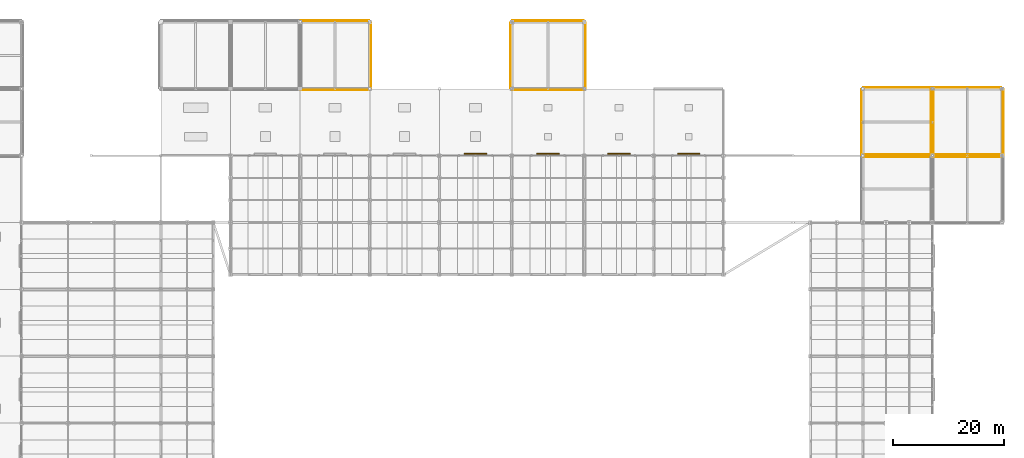
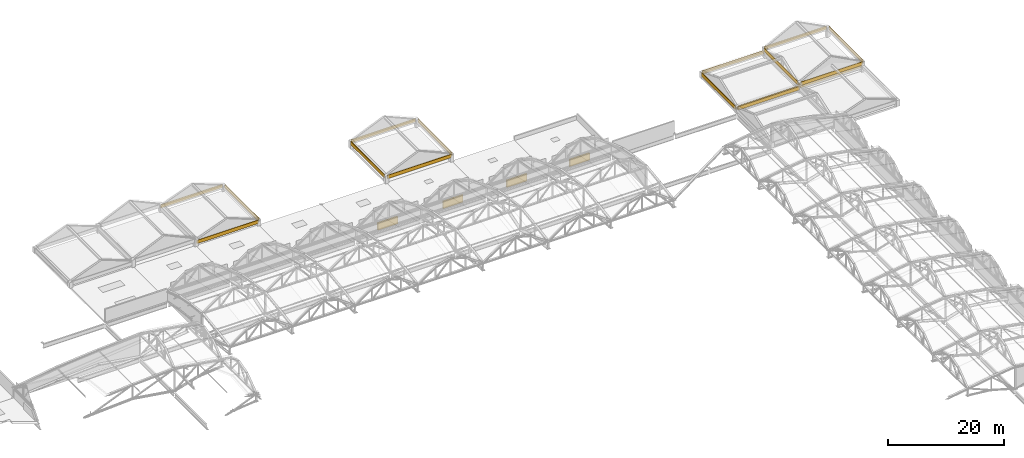
# One storey, part 117 of 117: 17 coverings, 4 shading devices.
"""IFC4 building model written with IfcOpenShell, lengths in metres."""

import ifcopenshell
import ifcopenshell.guid

model = None  # the IFC model being written
_history = None  # IfcOwnerHistory: only IFC2X3 demands one
_inside = {}  # id of a spatial element -> (the spatial element, [elements in it])
_under = {}  # id of a project, library or spatial element -> (it, [spatial elements below it])
_declared = {}  # id of a project -> (the project, [libraries it declares])
_typed = {}  # id of a type object -> (the type object, [elements of that type])
_made_of = {}  # id of a material, layer set ... -> (it, [elements and type objects made of it])


def new_model(schema):
    """Start an empty IFC model of exactly this schema.

    Asked for "IFC4X3", IfcOpenShell would pick the latest addendum, in which some entities
    have other attributes; the version numbers below select the first issue.
    IFC2X3 requires an IfcOwnerHistory on every rooted entity: one is made here for all.
    """
    global model, _history
    if schema == "IFC4X3":
        model = ifcopenshell.file(schema_version=(4, 3, 0, 0))
    else:
        model = ifcopenshell.file(schema=schema)
    _inside.clear()
    _under.clear()
    _declared.clear()
    _typed.clear()
    _made_of.clear()
    _history = None
    if model.schema == "IFC2X3":
        org = make("IfcOrganization", Name="unknown")
        user = make(
            "IfcPersonAndOrganization",
            ThePerson=make("IfcPerson", FamilyName="unknown"),
            TheOrganization=org,
        )
        app = make(
            "IfcApplication",
            ApplicationDeveloper=org,
            Version="unknown",
            ApplicationFullName="unknown",
            ApplicationIdentifier="unknown",
        )
        _history = make(
            "IfcOwnerHistory",
            OwningUser=user,
            OwningApplication=app,
            ChangeAction="ADDED",
            CreationDate=0,
        )
    return model


def make(cls, **values):
    """One entity of the class cls with the attributes given. An attribute that is None is left unset."""
    return model.create_entity(
        cls, **{name: value for name, value in values.items() if value is not None}
    )


def rooted(cls, **values):
    """An entity with a GlobalId (a new one), such as an element, a storey or a relation."""
    return make(cls, GlobalId=ifcopenshell.guid.new(), OwnerHistory=_history, **values)


def si_unit(unit_type, name, prefix=None):
    """IfcSIUnit, for example si_unit("LENGTHUNIT", "METRE", prefix="MILLI")."""
    return make("IfcSIUnit", UnitType=unit_type, Prefix=prefix, Name=name)


def assignment(units):
    """IfcUnitAssignment: the units of a project."""
    return None if units is None else make("IfcUnitAssignment", Units=units)


def point(xyz):
    """IfcCartesianPoint."""
    return None if xyz is None else make("IfcCartesianPoint", Coordinates=xyz)


def direction(xyz):
    """IfcDirection."""
    return None if xyz is None else make("IfcDirection", DirectionRatios=xyz)


def frame(location, z_axis=None, x_axis=None):
    """IfcAxis2Placement3D, a coordinate frame: its origin and axes. An axis left out is left unset."""
    return make(
        "IfcAxis2Placement3D",
        Location=point(location),
        Axis=direction(z_axis),
        RefDirection=direction(x_axis),
    )


def frame_2d(location, x_axis=None):
    """IfcAxis2Placement2D, a coordinate frame in the plane: its origin and x axis."""
    return make(
        "IfcAxis2Placement2D", Location=point(location), RefDirection=direction(x_axis)
    )


def origin():
    """The frame at (0, 0, 0) with its axes left unset."""
    return frame((0.0, 0.0, 0.0))


def origin_2d():
    """The frame at (0, 0) in the plane with its x axis left unset."""
    return frame_2d((0.0, 0.0))


def place(relative_to, where):
    """IfcLocalPlacement: puts the frame where relative to a parent placement (None: the world)."""
    return make(
        "IfcLocalPlacement", PlacementRelTo=relative_to, RelativePlacement=where
    )


def context(
    kind, dimensions, precision=None, world=None, true_north=None, identifier=None
):
    """IfcGeometricRepresentationContext, for example the 3D "Model" context."""
    return make(
        "IfcGeometricRepresentationContext",
        ContextIdentifier=identifier,
        ContextType=kind,
        CoordinateSpaceDimension=dimensions,
        Precision=precision,
        WorldCoordinateSystem=world,
        TrueNorth=true_north,
    )


def subcontext(parent, identifier, kind, view, scale=None):
    """IfcGeometricRepresentationSubContext, for example "Body" below "Model"."""
    return make(
        "IfcGeometricRepresentationSubContext",
        ContextIdentifier=identifier,
        ContextType=kind,
        ParentContext=parent,
        TargetScale=scale,
        TargetView=view,
    )


def project(units=None, contexts=None):
    """IfcProject with its units and contexts."""
    return rooted(
        "IfcProject",
        Name="project",
        RepresentationContexts=contexts,
        UnitsInContext=assignment(units),
    )


def spatial(cls, under=None, at=None, **own):
    """A site, building, storey or space (cls), placed at a placement, below another one or the project."""
    s = rooted(cls, ObjectPlacement=at, **own)
    if under is not None:
        _under.setdefault(under.id(), (under, []))[1].append(s)
    return s


def profile(cls, at=None, kind="AREA", **sizes):
    """A parametric profile (cls). Its sizes go by their IFC names, for example OverallWidth=200.0."""
    return make(cls, ProfileType=kind, Position=at, **sizes)


def rectangle(**sizes):
    """IfcRectangleProfileDef."""
    return profile("IfcRectangleProfileDef", **sizes)


def extrude(swept, where, along, depth):
    """IfcExtrudedAreaSolid: the profile swept, set in the frame where, extruded along a direction by depth."""
    return make(
        "IfcExtrudedAreaSolid",
        SweptArea=swept,
        Position=where,
        ExtrudedDirection=direction(along),
        Depth=depth,
    )


def shape(context_of_items, identifier, shape_type, items):
    """IfcShapeRepresentation: the items that make up one representation, for example the "Body"."""
    return make(
        "IfcShapeRepresentation",
        ContextOfItems=context_of_items,
        RepresentationIdentifier=identifier,
        RepresentationType=shape_type,
        Items=items,
    )


def material(Name=None, Category=None):
    """IfcMaterial."""
    return make("IfcMaterial", Name=Name, Category=Category)


def layer(
    of_material, thickness, ventilated=None, Name=None, Category=None, Priority=None
):
    """IfcMaterialLayer: one layer of a wall or slab, of a material (None: an air gap)."""
    return make(
        "IfcMaterialLayer",
        Material=of_material,
        LayerThickness=thickness,
        IsVentilated=ventilated,
        Name=Name,
        Category=Category,
        Priority=Priority,
    )


def layer_set(layers, Name=None):
    """IfcMaterialLayerSet."""
    return make("IfcMaterialLayerSet", MaterialLayers=layers, LayerSetName=Name)


def made_of(thing, what):
    """Note that an element or type object is made of a material, layer set ...; save() writes the relation."""
    if what is not None:
        _made_of.setdefault(what.id(), (what, []))[1].append(thing)
    return thing


def type_object(cls, material=None, **own):
    """A type object (cls), such as IfcWallType, which elements share."""
    return made_of(rooted(cls, **own), material)


def element(
    cls,
    number,
    at=None,
    inside=None,
    cuts=None,
    type_object=None,
    material=None,
    context=None,
    identifier="Body",
    shape_type=None,
    held_by="IfcProductDefinitionShape",
    body=None,
    shapes=None,
    **own,
):
    """One element of the class cls, such as IfcWall. Its Tag is "e" and its number.

    at: its placement. inside: the storey or other place that contains it. cuts: it is an
    opening in that element (IfcRelVoidsElement). A single representation is given by context,
    identifier, shape_type and body (its items); several are given by shapes. held_by: the class
    of the entity that holds the representations. save() writes the other relations.
    """
    e = rooted(cls, Tag="e%d" % number, ObjectPlacement=at, **own)
    if body is not None:
        shapes = [shape(context, identifier, shape_type, body)]
    if shapes is not None:
        e.Representation = make(held_by, Representations=shapes)
    if inside is not None:
        _inside.setdefault(inside.id(), (inside, []))[1].append(e)
    if cuts is not None:
        rooted(
            "IfcRelVoidsElement", RelatingBuildingElement=cuts, RelatedOpeningElement=e
        )
    if type_object is not None:
        _typed.setdefault(type_object.id(), (type_object, []))[1].append(e)
    return made_of(e, material)


def aggregate(whole, parts):
    """IfcRelAggregates: a whole, such as a stair, and the parts it consists of."""
    return rooted("IfcRelAggregates", RelatingObject=whole, RelatedObjects=parts)


def save(model, path):
    """Write the relations noted so far, then the file.

    IfcRelAggregates (storeys below a building ...), IfcRelContainedInSpatialStructure (elements
    in a storey), IfcRelDefinesByType, IfcRelAssociatesMaterial and IfcRelDeclares: one each for
    every whole, place, type object, material and project.
    """
    for whole, parts in _under.values():
        aggregate(whole, parts)
    for where, things in _inside.values():
        rooted(
            "IfcRelContainedInSpatialStructure",
            RelatedElements=things,
            RelatingStructure=where,
        )
    for kind, things in _typed.values():
        rooted("IfcRelDefinesByType", RelatedObjects=things, RelatingType=kind)
    for what, things in _made_of.values():
        rooted("IfcRelAssociatesMaterial", RelatedObjects=things, RelatingMaterial=what)
    for by, libraries in _declared.values():
        rooted("IfcRelDeclares", RelatingContext=by, RelatedDefinitions=libraries)
    model.write(path)


model = new_model("IFC4")

# Units and contexts
model_context = context("Model", 3, precision=1e-05, world=origin(), true_north=direction((0.0, 1.0)))
body_context = subcontext(model_context, "Body", "Model", "MODEL_VIEW")
ifc_project = project(units=[si_unit("LENGTHUNIT", "METRE"), si_unit("AREAUNIT", "SQUARE_METRE"), si_unit("VOLUMEUNIT", "CUBIC_METRE"), si_unit("PLANEANGLEUNIT", "RADIAN"), si_unit("MASSUNIT", "GRAM", prefix="KILO")], contexts=[model_context])

# Site, building, storey
site_placement = place(None, origin())
site = spatial("IfcSite", under=ifc_project, at=site_placement, CompositionType="ELEMENT")
building_placement = place(site_placement, origin())
building = spatial("IfcBuilding", under=site, at=building_placement, Name="Kazenohara Klinker Stadium", CompositionType="ELEMENT")
storey_placement = place(building_placement, frame((0.0, 0.0, 31.199951171875)))
storey = spatial("IfcBuildingStorey", under=building, at=storey_placement, Name="RF", CompositionType="ELEMENT", Elevation=31.199951171875)

# Coverings
ifc_material_1 = material(Name="Patina copper eaves fascia and acoustic baffle cladding", Category="metal")
ifc_layer = layer(ifc_material_1, 0.10009765625)
ifc_layer_set = layer_set([ifc_layer], Name="Patina copper eaves fascia and acoustic baffle cladding")
covering_type = type_object("IfcCoveringType", Name="COV-CLAD-01", PredefinedType="CLADDING", material=ifc_layer_set)
for number, where, z_axis, x_axis, name in (
    (1, (193.75, 143.780029296875, 1.39013671875), (0.0, 0.0, 1.0), (1.0, 0.0, 0.0), "Patina copper turret eave fascia CL-C1 GT3-NE-S"),
    (2, (193.75, 156.219970703125, 1.39013671875), (0.0, 0.0, 1.0), (1.0, 0.0, 0.0), "Patina copper turret eave fascia CL-C1 GT3-NE-N"),
):
    element("IfcCovering", number, at=place(storey_placement, frame(where, z_axis=z_axis, x_axis=x_axis)), inside=storey, type_object=covering_type, Name=name, PredefinedType="CLADDING", context=body_context, shape_type="SweptSolid", body=[
        extrude(rectangle(XDim=12.300048828125, YDim=0.10009765625, at=origin_2d()), origin(), (0.0, 0.0, 1.0), 0.719970703125),
    ])
for number, where, z_axis, x_axis, name in (
    (3, (187.280029296875, 150.0, 1.39013671875), (0.0, 0.0, 1.0), (1.0, 0.0, 0.0), "Patina copper turret eave fascia CL-C1 GT3-NE-W"),
    (4, (200.219970703125, 150.0, 1.39013671875), (0.0, 0.0, 1.0), (1.0, 0.0, 0.0), "Patina copper turret eave fascia CL-C1 GT3-NE-E"),
):
    element("IfcCovering", number, at=place(storey_placement, frame(where, z_axis=z_axis, x_axis=x_axis)), inside=storey, type_object=covering_type, Name=name, PredefinedType="CLADDING", context=body_context, shape_type="SweptSolid", body=[
        extrude(rectangle(XDim=0.10009765625, YDim=11.800048828125, at=origin_2d()), origin(), (0.0, 0.0, 1.0), 0.719970703125),
    ])
for number, where, z_axis, x_axis, name in (
    (5, (181.25, 143.780029296875, 0.58984375), (0.0, 0.0, 1.0), (1.0, 0.0, 0.0), "Patina copper turret eave fascia CL-C1 GT3-NW-S"),
    (6, (181.25, 156.219970703125, 0.58984375), (0.0, 0.0, 1.0), (1.0, 0.0, 0.0), "Patina copper turret eave fascia CL-C1 GT3-NW-N"),
):
    element("IfcCovering", number, at=place(storey_placement, frame(where, z_axis=z_axis, x_axis=x_axis)), inside=storey, type_object=covering_type, Name=name, PredefinedType="CLADDING", context=body_context, shape_type="SweptSolid", body=[
        extrude(rectangle(XDim=12.300048828125, YDim=0.10009765625, at=origin_2d()), origin(), (0.0, 0.0, 1.0), 0.719970703125),
    ])
for number, where, z_axis, x_axis, name in (
    (7, (174.780029296875, 150.0, 0.58984375), (0.0, 0.0, 1.0), (1.0, 0.0, 0.0), "Patina copper turret eave fascia CL-C1 GT3-NW-W"),
    (8, (187.719970703125, 150.0, 0.58984375), (0.0, 0.0, 1.0), (1.0, 0.0, 0.0), "Patina copper turret eave fascia CL-C1 GT3-NW-E"),
):
    element("IfcCovering", number, at=place(storey_placement, frame(where, z_axis=z_axis, x_axis=x_axis)), inside=storey, type_object=covering_type, Name=name, PredefinedType="CLADDING", context=body_context, shape_type="SweptSolid", body=[
        extrude(rectangle(XDim=0.10009765625, YDim=11.800048828125, at=origin_2d()), origin(), (0.0, 0.0, 1.0), 0.719970703125),
    ])
for number, where, z_axis, x_axis, name in (
    (9, (193.75, 144.219970703125, 0.58984375), (0.0, 0.0, 1.0), (1.0, 0.0, 0.0), "Patina copper turret eave fascia CL-C1 GT3-SE-N"),
    (10, (181.25, 144.219970703125, 0.39013671875), (0.0, 0.0, 1.0), (1.0, 0.0, 0.0), "Patina copper turret eave fascia CL-C1 GT3-SW-N"),
    (11, (80.25, 155.780029296875, 0.490234375), (0.0, 0.0, 1.0), (1.0, 0.0, 0.0), "Patina copper turret eave fascia CL-C1 NBST-06-S"),
    (12, (80.25, 168.219970703125, 0.490234375), (0.0, 0.0, 1.0), (1.0, 0.0, 0.0), "Patina copper turret eave fascia CL-C1 NBST-06-N"),
):
    element("IfcCovering", number, at=place(storey_placement, frame(where, z_axis=z_axis, x_axis=x_axis)), inside=storey, type_object=covering_type, Name=name, PredefinedType="CLADDING", context=body_context, shape_type="SweptSolid", body=[
        extrude(rectangle(XDim=12.300048828125, YDim=0.10009765625, at=origin_2d()), origin(), (0.0, 0.0, 1.0), 0.719970703125),
    ])
covering_placement = place(storey_placement, frame((86.719970703125, 162.0, 0.490234375), z_axis=(0.0, 0.0, 1.0), x_axis=(1.0, 0.0, 0.0)))
element("IfcCovering", 13, at=covering_placement, inside=storey, type_object=covering_type, Name="Patina copper turret eave fascia CL-C1 NBST-06-E", PredefinedType="CLADDING", context=body_context, shape_type="SweptSolid", body=[
    extrude(rectangle(XDim=0.10009765625, YDim=11.800048828125, at=origin_2d()), origin(), (0.0, 0.0, 1.0), 0.719970703125),
])
for number, where, z_axis, x_axis, name in (
    (14, (118.5, 155.780029296875, 0.89013671875), (0.0, 0.0, 1.0), (1.0, 0.0, 0.0), "Patina copper turret eave fascia CL-C1 NBST-09-S"),
    (15, (118.5, 168.219970703125, 0.89013671875), (0.0, 0.0, 1.0), (1.0, 0.0, 0.0), "Patina copper turret eave fascia CL-C1 NBST-09-N"),
):
    element("IfcCovering", number, at=place(storey_placement, frame(where, z_axis=z_axis, x_axis=x_axis)), inside=storey, type_object=covering_type, Name=name, PredefinedType="CLADDING", context=body_context, shape_type="SweptSolid", body=[
        extrude(rectangle(XDim=12.800048828125, YDim=0.10009765625, at=origin_2d()), origin(), (0.0, 0.0, 1.0), 0.719970703125),
    ])
for number, where, z_axis, x_axis, name in (
    (16, (111.780029296875, 162.0, 0.89013671875), (0.0, 0.0, 1.0), (1.0, 0.0, 0.0), "Patina copper turret eave fascia CL-C1 NBST-09-W"),
    (17, (125.219970703125, 162.0, 0.89013671875), (0.0, 0.0, 1.0), (1.0, 0.0, 0.0), "Patina copper turret eave fascia CL-C1 NBST-09-E"),
):
    element("IfcCovering", number, at=place(storey_placement, frame(where, z_axis=z_axis, x_axis=x_axis)), inside=storey, type_object=covering_type, Name=name, PredefinedType="CLADDING", context=body_context, shape_type="SweptSolid", body=[
        extrude(rectangle(XDim=0.10009765625, YDim=11.800048828125, at=origin_2d()), origin(), (0.0, 0.0, 1.0), 0.719970703125),
    ])

# Shading devices
ifc_material_2 = material(Name="Perforated clinker-brick and bronze louvre grille", Category="masonry")
shading_device_type = type_object("IfcShadingDeviceType", Name="SHD-LOUV-02", PredefinedType="JALOUSIE", material=ifc_material_2)
for number, where, z_axis, x_axis, name in (
    (18, (105.5, 144.280029296875, 0.070068359375), (0.0, 0.0, 1.0), (1.0, 0.0, 0.0), "Perforated clinker-brick canopy louvre grille LV02-N-04"),
    (19, (118.5, 144.280029296875, 0.070068359375), (0.0, 0.0, 1.0), (1.0, 0.0, 0.0), "Perforated clinker-brick canopy louvre grille LV02-N-05"),
    (20, (131.25, 144.280029296875, 0.070068359375), (0.0, 0.0, 1.0), (1.0, 0.0, 0.0), "Perforated clinker-brick canopy louvre grille LV02-N-06"),
    (21, (143.75, 144.280029296875, 0.070068359375), (0.0, 0.0, 1.0), (1.0, 0.0, 0.0), "Perforated clinker-brick canopy louvre grille LV02-N-07"),
):
    element("IfcShadingDevice", number, at=place(storey_placement, frame(where, z_axis=z_axis, x_axis=x_axis)), inside=storey, type_object=shading_device_type, Name=name, PredefinedType="JALOUSIE", context=body_context, shape_type="SweptSolid", body=[
        extrude(rectangle(XDim=4.0, YDim=0.300048828125, at=origin_2d()), origin(), (0.0, 0.0, 1.0), 1.5),
    ])

save(model, "model.ifc")
